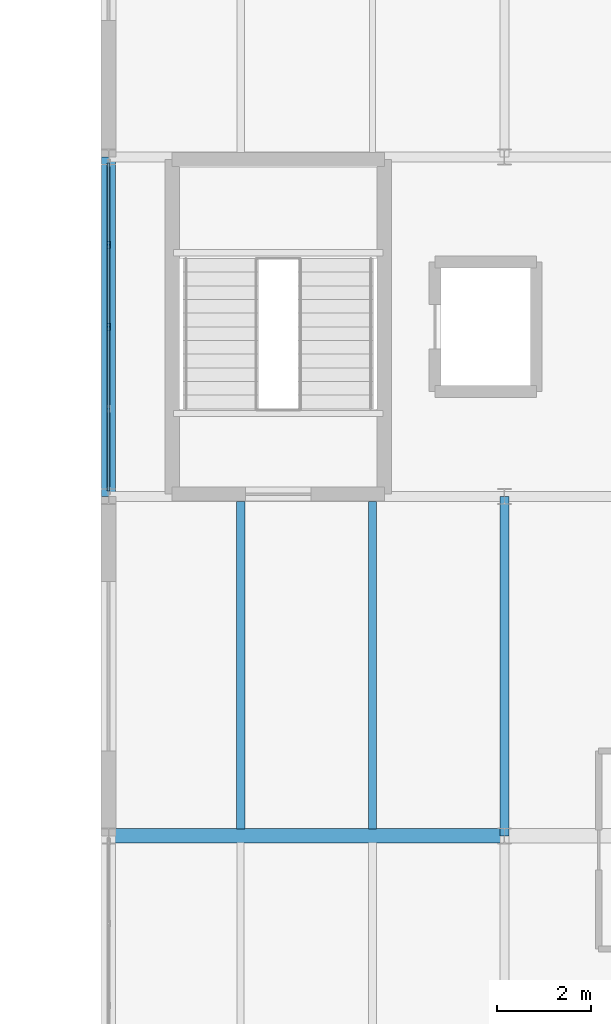
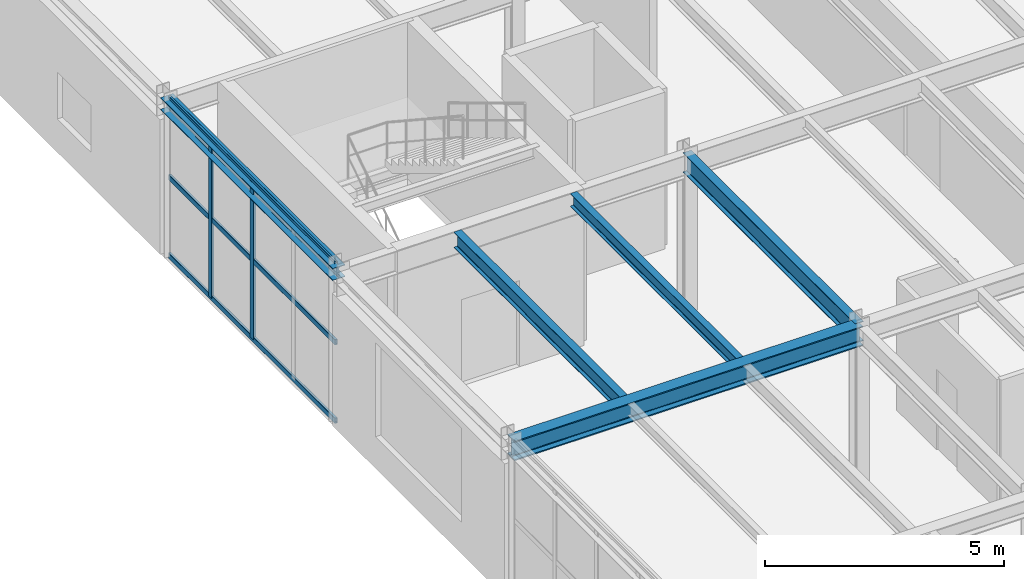
# One storey, part 37 of 73: 5 beams, 5 members, 1 element without a shape of its own.
"""IFC4 building model written with IfcOpenShell, lengths in metres."""

from ifc_helpers import new_model, si_unit, derived_unit, direction, frame, origin, origin_2d, place, context, subcontext, project, spatial, hollow_rectangle, i_section, extrude, material, material_profile, profile_set, type_object, element, aggregate, save


model = new_model("IFC4")

# Units and contexts
model_context = context("Model", 3, precision=1e-05, world=origin(), true_north=direction((0.0, 1.0)))
body_context = subcontext(model_context, "Body", "Model", "MODEL_VIEW")
ifc_project = project(units=[si_unit("LENGTHUNIT", "METRE"), si_unit("AREAUNIT", "SQUARE_METRE"), si_unit("VOLUMEUNIT", "CUBIC_METRE"), si_unit("PLANEANGLEUNIT", "RADIAN"), si_unit("MASSUNIT", "GRAM", prefix="KILO"), derived_unit("THERMALTRANSMITTANCEUNIT", [(si_unit("MASSUNIT", "GRAM", prefix="KILO"), 1), (si_unit("TIMEUNIT", "SECOND"), -3), (si_unit("THERMODYNAMICTEMPERATUREUNIT", "KELVIN"), -1)])], contexts=[model_context])

# Site, building, storey
site_placement = place(None, origin())
site = spatial("IfcSite", under=ifc_project, at=site_placement, CompositionType="ELEMENT")
building_placement = place(site_placement, origin())
building = spatial("IfcBuilding", under=site, at=building_placement, Name="Kharveza Railside Sports Centre", CompositionType="ELEMENT")
storey_placement = place(building_placement, frame((0.0, 0.0, 8.699951171875)))
storey = spatial("IfcBuildingStorey", under=building, at=storey_placement, Name="L02", CompositionType="ELEMENT", Elevation=8.699951171875)

# Beams
ifc_material_1 = material(Name="Steel S355J2", Category="steel")
ifc_material_profile_1 = material_profile(ifc_material_1, i_section(OverallWidth=0.199951171875, OverallDepth=0.5, WebThickness=0.01025390625, FlangeThickness=0.01611328125, FilletRadius=0.02099609375, at=origin_2d()), Name="IPE 500")
ifc_profile_set_1 = profile_set([ifc_material_profile_1], Name="Steel S355J2")
beam_type_1 = type_object("IfcBeamType", Name="BM-G03", PredefinedType="T_BEAM", material=ifc_profile_set_1)
beam_1_placement = place(storey_placement, frame((151.199951171875, 50.39990234375, 3.75), z_axis=(0.0, 1.0, 0.0), x_axis=(-1.0, 0.0, 0.0)))
element("IfcBeam", 1, at=beam_1_placement, inside=storey, type_object=beam_type_1, Name="BM-NS-L02-B03-X1512-Y504", PredefinedType="T_BEAM", context=body_context, shape_type="SweptSolid", body=[
    extrude(i_section(OverallWidth=0.199951171875, OverallDepth=0.5, WebThickness=0.01025390625, FlangeThickness=0.01611328125, FilletRadius=0.02099609375, at=origin_2d()), origin(), (0.0, 0.0, 1.0), 7.2001953125),
])
ifc_material_profile_2 = material_profile(ifc_material_1, i_section(OverallWidth=0.300048828125, OverallDepth=0.5, WebThickness=0.014404296875, FlangeThickness=0.028076171875, FilletRadius=0.027099609375, at=origin_2d()), Name="HEB 500")
ifc_profile_set_2 = profile_set([ifc_material_profile_2], Name="Steel S355J2")
beam_type_2 = type_object("IfcBeamType", Name="BM-G05", PredefinedType="T_BEAM", material=ifc_profile_set_2)
beam_2_placement = place(storey_placement, frame((142.800048828125, 50.39990234375, 3.75), z_axis=(1.0, 0.0, 0.0), x_axis=(0.0, 1.0, 0.0)))
element("IfcBeam", 2, at=beam_2_placement, inside=storey, type_object=beam_type_2, Name="BM-EW-L02-B05-X1428-Y504", PredefinedType="T_BEAM", context=body_context, shape_type="SweptSolid", body=[
    extrude(i_section(OverallWidth=0.300048828125, OverallDepth=0.5, WebThickness=0.014404296875, FlangeThickness=0.028076171875, FilletRadius=0.027099609375, at=origin_2d()), origin(), (0.0, 0.0, 1.0), 8.39990234375),
])
ifc_material_profile_3 = material_profile(ifc_material_1, i_section(OverallWidth=0.179931640625, OverallDepth=0.39990234375, WebThickness=0.008544921875, FlangeThickness=0.013427734375, FilletRadius=0.02099609375, at=origin_2d()), Name="IPE 400")
ifc_profile_set_3 = profile_set([ifc_material_profile_3], Name="Steel S355J2")
beam_type_3 = type_object("IfcBeamType", Name="BM-S01", PredefinedType="BEAM", material=ifc_profile_set_3)
beam_3_placement = place(storey_placement, frame((145.60009765625, 50.547119140625, 3.800048828125), z_axis=(0.0, 1.0, 0.0), x_axis=(-1.0, 0.0, 0.0)))
element("IfcBeam", 3, at=beam_3_placement, inside=storey, type_object=beam_type_3, Name="BM-SEC-L02-B09-X1456-Y504", PredefinedType="BEAM", context=body_context, shape_type="SweptSolid", body=[
    extrude(i_section(OverallWidth=0.179931640625, OverallDepth=0.39990234375, WebThickness=0.008544921875, FlangeThickness=0.013427734375, FilletRadius=0.02099609375, at=origin_2d()), origin(), (0.0, 0.0, 1.0), 6.94580078125),
])
ifc_material_profile_4 = material_profile(ifc_material_1, i_section(OverallWidth=0.159912109375, OverallDepth=0.330078125, WebThickness=0.007568359375, FlangeThickness=0.011474609375, FilletRadius=0.01806640625, at=origin_2d()), Name="IPE 330")
ifc_profile_set_4 = profile_set([ifc_material_profile_4], Name="Steel S355J2")
beam_type_4 = type_object("IfcBeamType", Name="BM-S03", PredefinedType="BEAM", material=ifc_profile_set_4)
beam_4_placement = place(storey_placement, frame((148.39990234375, 50.547119140625, 3.8349609375), z_axis=(0.0, 1.0, 0.0), x_axis=(-1.0, 0.0, 0.0)))
element("IfcBeam", 4, at=beam_4_placement, inside=storey, type_object=beam_type_4, Name="BM-SEC-L02-B11-X1484-Y504", PredefinedType="BEAM", context=body_context, shape_type="SweptSolid", body=[
    extrude(i_section(OverallWidth=0.159912109375, OverallDepth=0.330078125, WebThickness=0.007568359375, FlangeThickness=0.011474609375, FilletRadius=0.01806640625, at=origin_2d()), origin(), (0.0, 0.0, 1.0), 6.94580078125),
])
ifc_material_profile_5 = material_profile(ifc_material_1, i_section(OverallWidth=0.300048828125, OverallDepth=0.31005859375, WebThickness=0.009033203125, FlangeThickness=0.015380859375, FilletRadius=0.027099609375, at=origin_2d()), Name="HEA 320")
ifc_profile_set_5 = profile_set([ifc_material_profile_5], Name="Steel S355J2")
beam_type_5 = type_object("IfcBeamType", Name="BM-S06", PredefinedType="BEAM", material=ifc_profile_set_5)
beam_5_placement = place(storey_placement, frame((142.800048828125, 57.60009765625, 3.844970703125), z_axis=(0.0, 1.0, 0.0), x_axis=(-1.0, 0.0, 0.0)))
element("IfcBeam", 5, at=beam_5_placement, inside=storey, type_object=beam_type_5, Name="BM-NS-L02-B14-X1428-Y576", PredefinedType="BEAM", context=body_context, shape_type="SweptSolid", body=[
    extrude(i_section(OverallWidth=0.300048828125, OverallDepth=0.31005859375, WebThickness=0.009033203125, FlangeThickness=0.015380859375, FilletRadius=0.027099609375, at=origin_2d()), origin(), (0.0, 0.0, 1.0), 7.199951171875),
])

# Curtain wall, members
ifc_material_2 = material(Name="Low-E solar-control laminated glass", Category="glass")
curtain_wall_type = type_object("IfcCurtainWallType", Name="CW-WG02", PredefinedType="NOTDEFINED", material=ifc_material_2)
curtain_wall_placement = place(storey_placement, origin())
curtain_wall = element("IfcCurtainWall", 6, at=curtain_wall_placement, inside=storey, type_object=curtain_wall_type, Name="CW-WG-L02-CW-WG02-X1428-Y612", PredefinedType="NOTDEFINED")
ifc_material_3 = material(Name="Anodised aluminium 6063-T6", Category="aluminium")
ifc_material_profile_6 = material_profile(ifc_material_3, hollow_rectangle(XDim=0.06494140625, YDim=0.14990234375, WallThickness=0.0048828125, InnerFilletRadius=0.0048828125, OuterFilletRadius=0.010009765625, at=origin_2d()), Name="RHS 65x150x5.0")
ifc_profile_set_6 = profile_set([ifc_material_profile_6], Name="Anodised aluminium 6063-T6")
member_type_1 = type_object("IfcMemberType", Name="CW-ML04", PredefinedType="MULLION", material=ifc_profile_set_6)
member_1_placement = place(storey_placement, frame((142.800048828125, 62.93994140625, 0.0), z_axis=(0.0, 0.0, 1.0), x_axis=(1.0, 0.0, 0.0)))
member_1 = element("IfcMember", 7, at=member_1_placement, type_object=member_type_1, Name="CW-WG-L02-CW-WG02-X1428-Y612-ML2", PredefinedType="MULLION", context=body_context, shape_type="SweptSolid", body=[
    extrude(hollow_rectangle(XDim=0.06494140625, YDim=0.14990234375, WallThickness=0.0048828125, InnerFilletRadius=0.0048828125, OuterFilletRadius=0.010009765625, at=origin_2d()), origin(), (0.0, 0.0, 1.0), 4.0),
])
member_2_placement = place(storey_placement, frame((142.800048828125, 61.199951171875, 0.0), z_axis=(0.0, 0.0, 1.0), x_axis=(1.0, 0.0, 0.0)))
member_2 = element("IfcMember", 8, at=member_2_placement, type_object=member_type_1, Name="CW-WG-L02-CW-WG02-X1428-Y612-ML3", PredefinedType="MULLION", context=body_context, shape_type="SweptSolid", body=[
    extrude(hollow_rectangle(XDim=0.06494140625, YDim=0.14990234375, WallThickness=0.0048828125, InnerFilletRadius=0.0048828125, OuterFilletRadius=0.010009765625, at=origin_2d()), origin(), (0.0, 0.0, 1.0), 4.0),
])
ifc_material_profile_7 = material_profile(ifc_material_3, hollow_rectangle(XDim=0.06005859375, YDim=0.139892578125, WallThickness=0.0048828125, InnerFilletRadius=0.0048828125, OuterFilletRadius=0.010009765625, at=origin_2d()), Name="RHS 60x140x5.0")
ifc_profile_set_7 = profile_set([ifc_material_profile_7], Name="Anodised aluminium 6063-T6")
member_type_2 = type_object("IfcMemberType", Name="CW-TR04", PredefinedType="USERDEFINED", material=ifc_profile_set_7)
member_3_placement = place(storey_placement, frame((142.800048828125, 64.679931640625, 0.0), z_axis=(0.0, -1.0, 0.0), x_axis=(1.0, 0.0, 0.0)))
member_3 = element("IfcMember", 9, at=member_3_placement, type_object=member_type_2, Name="CW-WG-L02-CW-WG02-X1428-Y612-TR1", ObjectType="TRANSOM", PredefinedType="USERDEFINED", context=body_context, shape_type="SweptSolid", body=[
    extrude(hollow_rectangle(XDim=0.06005859375, YDim=0.139892578125, WallThickness=0.0048828125, InnerFilletRadius=0.0048828125, OuterFilletRadius=0.010009765625, at=origin_2d()), origin(), (0.0, 0.0, 1.0), 6.9599609375),
])
member_4_placement = place(storey_placement, frame((142.800048828125, 64.679931640625, 2.0), z_axis=(0.0, -1.0, 0.0), x_axis=(1.0, 0.0, 0.0)))
member_4 = element("IfcMember", 10, at=member_4_placement, type_object=member_type_2, Name="CW-WG-L02-CW-WG02-X1428-Y612-TR2", ObjectType="TRANSOM", PredefinedType="USERDEFINED", context=body_context, shape_type="SweptSolid", body=[
    extrude(hollow_rectangle(XDim=0.06005859375, YDim=0.139892578125, WallThickness=0.0048828125, InnerFilletRadius=0.0048828125, OuterFilletRadius=0.010009765625, at=origin_2d()), origin(), (0.0, 0.0, 1.0), 6.9599609375),
])
member_5_placement = place(storey_placement, frame((142.800048828125, 64.679931640625, 4.0), z_axis=(0.0, -1.0, 0.0), x_axis=(1.0, 0.0, 0.0)))
member_5 = element("IfcMember", 11, at=member_5_placement, type_object=member_type_2, Name="CW-WG-L02-CW-WG02-X1428-Y612-TR3", ObjectType="TRANSOM", PredefinedType="USERDEFINED", context=body_context, shape_type="SweptSolid", body=[
    extrude(hollow_rectangle(XDim=0.06005859375, YDim=0.139892578125, WallThickness=0.0048828125, InnerFilletRadius=0.0048828125, OuterFilletRadius=0.010009765625, at=origin_2d()), origin(), (0.0, 0.0, 1.0), 6.9599609375),
])
aggregate(curtain_wall, [member_1, member_2, member_3, member_4, member_5])

save(model, "model.ifc")
